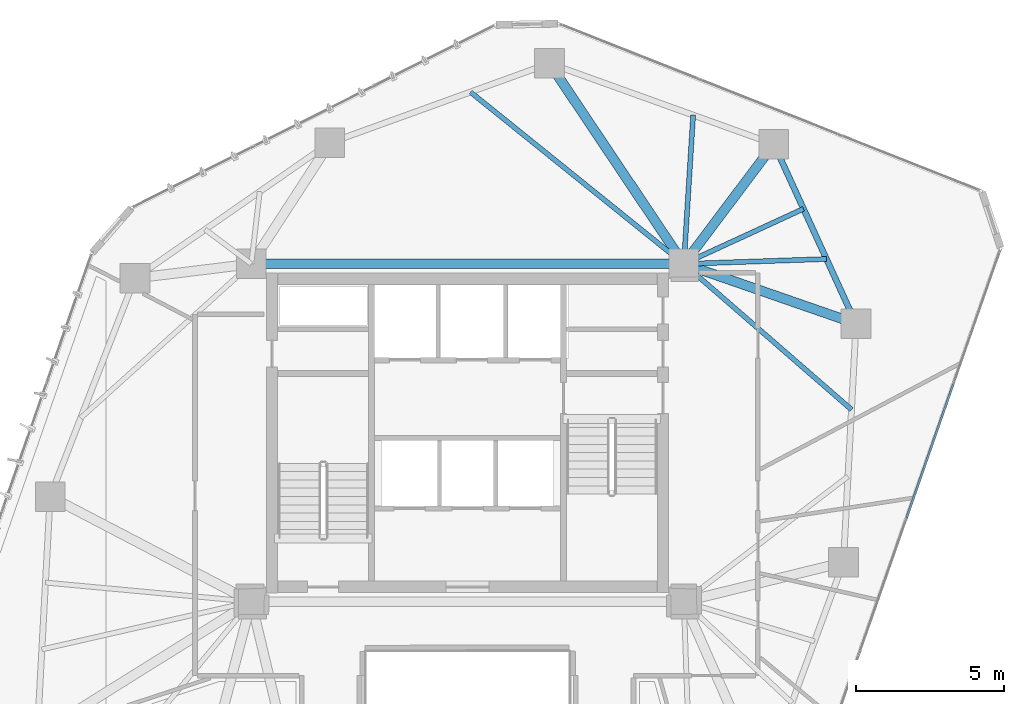
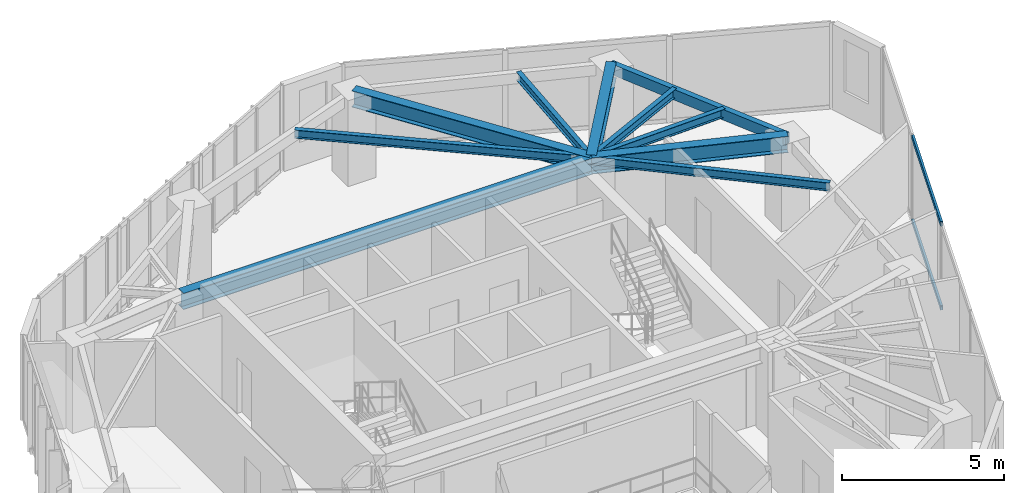
# One storey, part 11 of 20: 10 beams, 2 members, 1 element without a shape of its own.
"""IFC4 building model written with IfcOpenShell, lengths in metres."""

from ifc_helpers import new_model, si_unit, direction, frame, origin, origin_2d, place, context, subcontext, project, spatial, hollow_rectangle, i_section, extrude, source, transform, mapped, material, layer, layer_set, material_profile, profile_set, type_object, type_shapes, element, aggregate, save


model = new_model("IFC4")

# Units and contexts
model_context = context("Model", 3, precision=1e-05, world=origin(), true_north=direction((0.0, 1.0)))
body_context = subcontext(model_context, "Body", "Model", "MODEL_VIEW")
ifc_project = project(units=[si_unit("LENGTHUNIT", "METRE"), si_unit("AREAUNIT", "SQUARE_METRE"), si_unit("VOLUMEUNIT", "CUBIC_METRE"), si_unit("PLANEANGLEUNIT", "RADIAN"), si_unit("MASSUNIT", "GRAM", prefix="KILO")], contexts=[model_context])

# Site, building, storey
site_placement = place(None, origin())
site = spatial("IfcSite", under=ifc_project, at=site_placement, CompositionType="ELEMENT")
building_placement = place(site_placement, origin())
building = spatial("IfcBuilding", under=site, at=building_placement, Name="Talar Marvaseh", CompositionType="ELEMENT")
storey_placement = place(building_placement, frame((0.0, 0.0, 170.5)))
storey = spatial("IfcBuildingStorey", under=building, at=storey_placement, Name="L44", CompositionType="ELEMENT", Elevation=170.5)

# Beams
ifc_material_1 = material(Name="Steel S355", Category="steel")
ifc_material_profile_1 = material_profile(ifc_material_1, hollow_rectangle(XDim=0.199951171875, YDim=0.39990234375, WallThickness=0.013916015625, at=origin_2d()), Name="RHS400x200x14")
ifc_profile_set_1 = profile_set([ifc_material_profile_1], Name="Steel S355")
beam_type_1 = type_object("IfcBeamType", Name="Zone 3 Perimeter Spandrel Beam RHS400x200x14", PredefinedType="SPANDREL", material=ifc_profile_set_1)
beam_1_placement = place(storey_placement, frame((36.341064453125, 40.94189453125, 3.030029296875), z_axis=(0.416090570719, -0.909323175202, 0.0), x_axis=(0.909323175202, 0.416090570719, 0.0)))
element("IfcBeam", 1, at=beam_1_placement, inside=storey, type_object=beam_type_1, Name="L44 Zone 3 Perimeter Spandrel Beam RHS400x200x14", PredefinedType="SPANDREL", context=body_context, shape_type="SweptSolid", body=[
    extrude(hollow_rectangle(XDim=0.199951171875, YDim=0.39990234375, WallThickness=0.013916015625, at=origin_2d()), origin(), (0.0, 0.0, 1.0), 6.661865234375),
])
ifc_material_profile_2 = material_profile(ifc_material_1, i_section(OverallWidth=0.324951171875, OverallDepth=0.615966796875, WebThickness=0.013916015625, FlangeThickness=0.021484375, at=origin_2d()), Name="W610x174")
ifc_profile_set_2 = profile_set([ifc_material_profile_2], Name="Steel S355")
beam_type_2 = type_object("IfcBeamType", Name="Zone 3 Radial Floor Girder W610x174", PredefinedType="BEAM", material=ifc_profile_set_2)
beam_2_placement = place(storey_placement, frame((18.699951171875, 36.89990234375, 2.922119140625), z_axis=(1.0, 0.0, 0.0), x_axis=(0.0, 1.0, 0.0)))
element("IfcBeam", 2, at=beam_2_placement, inside=storey, type_object=beam_type_2, Name="L44 Zone 3 Radial Floor Girder W610x174", PredefinedType="BEAM", context=body_context, shape_type="SweptSolid", body=[
    extrude(i_section(OverallWidth=0.324951171875, OverallDepth=0.615966796875, WebThickness=0.013916015625, FlangeThickness=0.021484375, at=origin_2d()), origin(), (0.0, 0.0, 1.0), 14.60009765625),
])
beam_3_placement = place(storey_placement, frame((28.76611328125, 43.66796875, 2.922119140625), z_axis=(0.556559209375, -0.830807948, 0.0), x_axis=(0.830807948, 0.556559209375, 0.0)))
element("IfcBeam", 3, at=beam_3_placement, inside=storey, type_object=beam_type_2, Name="L44 Zone 3 Radial Floor Girder W610x174", PredefinedType="BEAM", context=body_context, shape_type="SweptSolid", body=[
    extrude(i_section(OverallWidth=0.324951171875, OverallDepth=0.615966796875, WebThickness=0.013916015625, FlangeThickness=0.021484375, at=origin_2d()), origin(), (0.0, 0.0, 1.0), 8.146484375),
])
beam_4_placement = place(storey_placement, frame((36.341064453125, 40.94189453125, 2.922119140625), z_axis=(-0.601204044541, -0.799095549247, 0.0), x_axis=(0.799095549247, -0.601204044541, 0.0)))
element("IfcBeam", 4, at=beam_4_placement, inside=storey, type_object=beam_type_2, Name="L44 Zone 3 Radial Floor Girder W610x174", PredefinedType="BEAM", context=body_context, shape_type="SweptSolid", body=[
    extrude(i_section(OverallWidth=0.324951171875, OverallDepth=0.615966796875, WebThickness=0.013916015625, FlangeThickness=0.021484375, at=origin_2d()), origin(), (0.0, 0.0, 1.0), 5.05810546875),
])
beam_5_placement = place(storey_placement, frame((39.113037109375, 34.884033203125, 2.922119140625), z_axis=(-0.94480098975, 0.327644761544, 0.0), x_axis=(-0.327644761544, -0.94480098975, 0.0)))
element("IfcBeam", 5, at=beam_5_placement, inside=storey, type_object=beam_type_2, Name="L44 Zone 3 Radial Floor Girder W610x174", PredefinedType="BEAM", context=body_context, shape_type="SweptSolid", body=[
    extrude(i_section(OverallWidth=0.324951171875, OverallDepth=0.615966796875, WebThickness=0.013916015625, FlangeThickness=0.021484375, at=origin_2d()), origin(), (0.0, 0.0, 1.0), 6.152587890625),
])
ifc_material_profile_3 = material_profile(ifc_material_1, i_section(OverallWidth=0.166015625, OverallDepth=0.31298828125, WebThickness=0.006591796875, FlangeThickness=0.01123046875, at=origin_2d()), Name="W310x45")
ifc_profile_set_3 = profile_set([ifc_material_profile_3], Name="Steel S355")
beam_type_3 = type_object("IfcBeamType", Name="Zone 3 Secondary Floor Joist W310x45", PredefinedType="JOIST", material=ifc_profile_set_3)
beam_6_placement = place(storey_placement, frame((33.614013671875, 41.92333984375, 3.073486328125), z_axis=(-0.062378286155, -0.998052578483, 0.0), x_axis=(0.998052578483, -0.062378286155, 0.0)))
element("IfcBeam", 6, at=beam_6_placement, inside=storey, type_object=beam_type_3, Name="L44 Zone 3 Secondary Floor Joist W310x45", PredefinedType="JOIST", context=body_context, shape_type="SweptSolid", body=[
    extrude(i_section(OverallWidth=0.166015625, OverallDepth=0.31298828125, WebThickness=0.006591796875, FlangeThickness=0.01123046875, at=origin_2d()), origin(), (0.0, 0.0, 1.0), 5.033203125),
])
beam_7_placement = place(storey_placement, frame((37.3388671875, 38.760986328125, 3.073486328125), z_axis=(-0.908214702737, -0.418504544458, 0.0), x_axis=(0.418504544458, -0.908214702737, 0.0)))
element("IfcBeam", 7, at=beam_7_placement, inside=storey, type_object=beam_type_3, Name="L44 Zone 3 Secondary Floor Joist W310x45", PredefinedType="JOIST", context=body_context, shape_type="SweptSolid", body=[
    extrude(i_section(OverallWidth=0.166015625, OverallDepth=0.31298828125, WebThickness=0.006591796875, FlangeThickness=0.01123046875, at=origin_2d()), origin(), (0.0, 0.0, 1.0), 4.447021484375),
])
beam_8_placement = place(storey_placement, frame((38.114990234375, 37.06494140625, 3.073486328125), z_axis=(-0.999413079861, -0.034256325017, 0.0), x_axis=(0.034256325017, -0.999413079861, 0.0)))
element("IfcBeam", 8, at=beam_8_placement, inside=storey, type_object=beam_type_3, Name="L44 Zone 3 Secondary Floor Joist W310x45", PredefinedType="JOIST", context=body_context, shape_type="SweptSolid", body=[
    extrude(i_section(OverallWidth=0.166015625, OverallDepth=0.31298828125, WebThickness=0.006591796875, FlangeThickness=0.01123046875, at=origin_2d()), origin(), (0.0, 0.0, 1.0), 4.81787109375),
])
beam_9_placement = place(storey_placement, frame((38.96044921875, 31.982421875, 3.073486328125), z_axis=(-0.754909663958, 0.655828788071, 0.0), x_axis=(-0.655828788071, -0.754909663958, 0.0)))
element("IfcBeam", 9, at=beam_9_placement, inside=storey, type_object=beam_type_3, Name="L44 Zone 3 Secondary Floor Joist W310x45", PredefinedType="JOIST", context=body_context, shape_type="SweptSolid", body=[
    extrude(i_section(OverallWidth=0.166015625, OverallDepth=0.31298828125, WebThickness=0.006591796875, FlangeThickness=0.01123046875, at=origin_2d()), origin(), (0.0, 0.0, 1.0), 7.498046875),
])
beam_10_placement = place(storey_placement, frame((26.096923828125, 42.702392578125, 3.073486328125), z_axis=(0.778755341842, -0.627327759272, 0.0), x_axis=(0.627327759272, 0.778755341842, 0.0)))
element("IfcBeam", 10, at=beam_10_placement, inside=storey, type_object=beam_type_3, Name="L44 Zone 3 Secondary Floor Joist W310x45", PredefinedType="JOIST", context=body_context, shape_type="SweptSolid", body=[
    extrude(i_section(OverallWidth=0.166015625, OverallDepth=0.31298828125, WebThickness=0.006591796875, FlangeThickness=0.01123046875, at=origin_2d()), origin(), (0.0, 0.0, 1.0), 9.24951171875),
])

# Curtain wall, members
ifc_material_2 = material(Name="Architectural Aluminium", Category="aluminium")
ifc_layer = layer(ifc_material_2, 0.18994140625)
ifc_layer_set = layer_set([ifc_layer], Name="Architectural Aluminium")
curtain_wall_type = type_object("IfcCurtainWallType", Name="Unitised Solar Atelier Curtain Wall Z3", PredefinedType="NOTDEFINED", material=ifc_layer_set)
curtain_wall_placement = place(storey_placement, origin())
curtain_wall = element("IfcCurtainWall", 11, at=curtain_wall_placement, inside=storey, type_object=curtain_wall_type, Name="L44 Unitised Solar Atelier Curtain Wall Z3", PredefinedType="NOTDEFINED")
ifc_material_profile_4 = material_profile(ifc_material_2, hollow_rectangle(XDim=0.074951171875, YDim=0.179931640625, WallThickness=0.0048828125, at=origin_2d()), Name="RHS180x75x5")
ifc_profile_set_4 = profile_set([ifc_material_profile_4], Name="Architectural Aluminium")
member_type = type_object("IfcMemberType", Name="Unitised Curtain Wall Transom RHS180x75x5", PredefinedType="USERDEFINED", material=ifc_profile_set_4)
shared_shape = source(origin(), body_context, "Body", "SweptSolid", [
    extrude(hollow_rectangle(XDim=0.074951171875, YDim=0.179931640625, WallThickness=0.0048828125, at=origin_2d()), origin(), (0.0, 0.0, 1.0), 4.746826171875),
])
type_shapes(member_type, [shared_shape])
member_1_placement = place(storey_placement, frame((42.39013671875, 32.822998046875, 0.03759765625), z_axis=(-0.329834907654, -0.944038629344, 0.0), x_axis=(0.944038629344, -0.329834907654, 0.0)))
member_1 = element("IfcMember", 12, at=member_1_placement, type_object=member_type, Name="CW-Z3 transom 2.1", ObjectType="TRANSOM", PredefinedType="USERDEFINED", context=body_context, shape_type="MappedRepresentation", body=[
    mapped(shared_shape, transform((0.0, 0.0, 0.0), x_axis=(1.0, 0.0, 0.0), y_axis=(0.0, 1.0, 0.0), z_axis=(0.0, 0.0, 1.0), scale=1.0)),
])
member_2_placement = place(storey_placement, frame((42.39013671875, 32.822998046875, 3.1923828125), z_axis=(-0.329834907654, -0.944038629344, 0.0), x_axis=(0.944038629344, -0.329834907654, 0.0)))
member_2 = element("IfcMember", 13, at=member_2_placement, type_object=member_type, Name="CW-Z3 transom 2.2", ObjectType="TRANSOM", PredefinedType="USERDEFINED", context=body_context, shape_type="MappedRepresentation", body=[
    mapped(shared_shape, transform((0.0, 0.0, 0.0), x_axis=(1.0, 0.0, 0.0), y_axis=(0.0, 1.0, 0.0), z_axis=(0.0, 0.0, 1.0), scale=1.0)),
])
aggregate(curtain_wall, [member_1, member_2])

save(model, "model.ifc")
